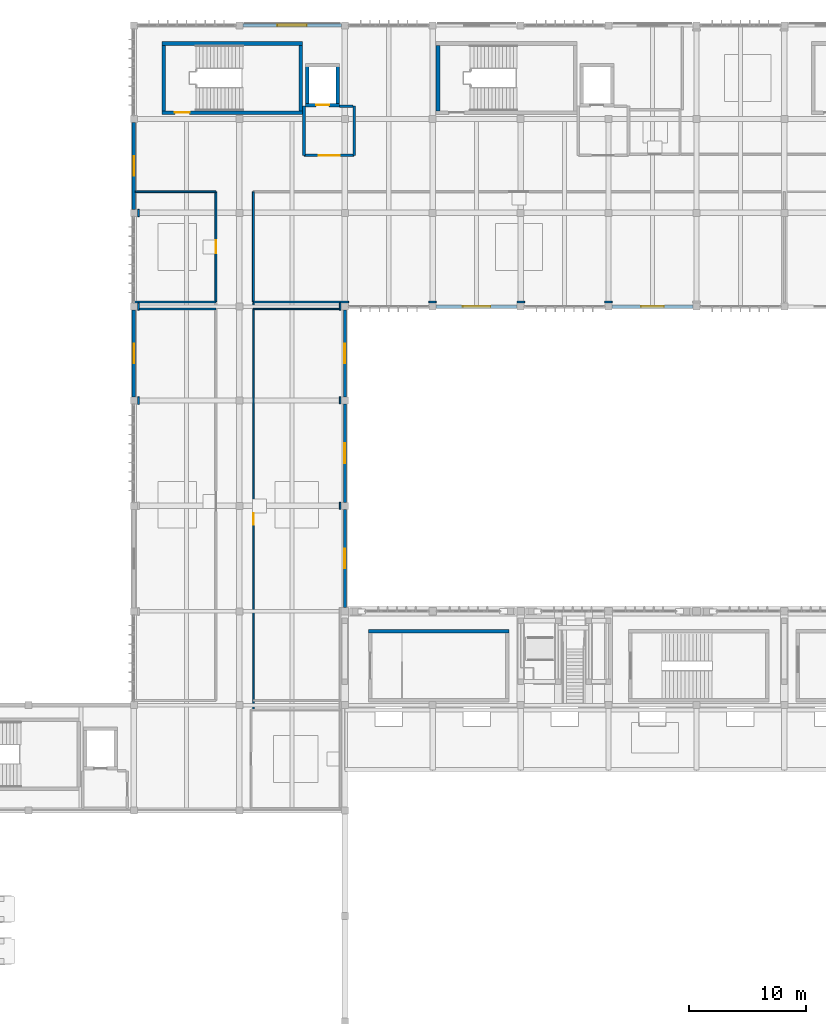
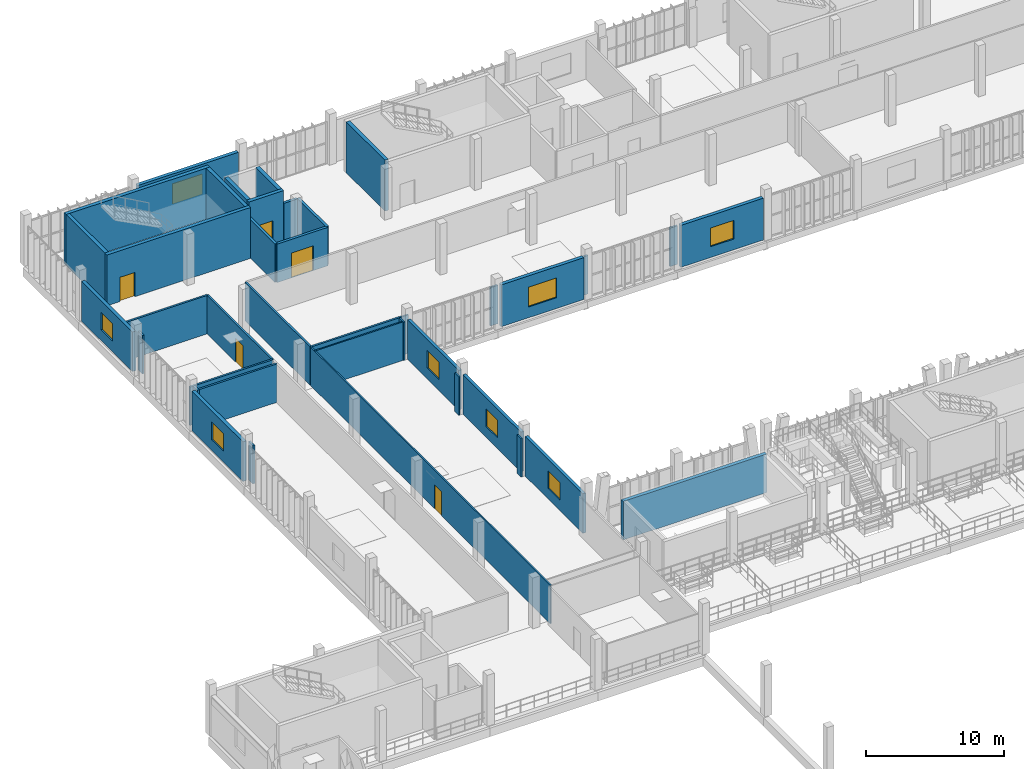
# One storey, part 55 of 81: 38 walls, 8 windows, 5 doors, 13 openings.
"""IFC4 building model written with IfcOpenShell, lengths in metres."""

from ifc_helpers import new_model, si_unit, direction, frame, frame_2d, origin, place, context, subcontext, project, spatial, rectangle, extrude, material, layer, layer_set, type_object, element, fill, save


model = new_model("IFC4")

# Units and contexts
model_context = context("Model", 3, precision=1e-05, world=origin(), true_north=direction((0.0, 1.0)))
body_context = subcontext(model_context, "Body", "Model", "MODEL_VIEW")
ifc_project = project(units=[si_unit("LENGTHUNIT", "METRE"), si_unit("AREAUNIT", "SQUARE_METRE"), si_unit("VOLUMEUNIT", "CUBIC_METRE"), si_unit("PLANEANGLEUNIT", "RADIAN"), si_unit("MASSUNIT", "GRAM", prefix="KILO")], contexts=[model_context])

# Site, building, storey
site_placement = place(None, origin())
site = spatial("IfcSite", under=ifc_project, at=site_placement, CompositionType="ELEMENT")
building_placement = place(site_placement, origin())
building = spatial("IfcBuilding", under=site, at=building_placement, Name="Vourika Railside Aquatics Centre", CompositionType="ELEMENT")
storey_placement = place(building_placement, frame((0.0, 0.0, 4.800048828125)))
storey = spatial("IfcBuildingStorey", under=building, at=storey_placement, Name="L01", CompositionType="ELEMENT", Elevation=4.800048828125)

# Wall, opening, door
ifc_material_1 = material(Name="Concrete C40/50", Category="concrete")
ifc_layer_1 = layer(ifc_material_1, 0.300048828125, Name="WL-CORE")
ifc_layer_set_1 = layer_set([ifc_layer_1], Name="Concrete C40/50")
wall_type_1 = type_object("IfcWallType", Name="WL-CORE", PredefinedType="SHEAR", material=ifc_layer_set_1)
wall_1_placement = place(storey_placement, frame((20.39990234375, 108.550048828125, 0.0), z_axis=(0.0, 0.0, 1.0), x_axis=(1.0, 0.0, 0.0)))
wall_1 = element("IfcWall", 1, at=wall_1_placement, inside=storey, type_object=wall_type_1, Name="Protected Exit Stair Core ST01 South Wall (L01)", PredefinedType="SHEAR", context=body_context, shape_type="SweptSolid", body=[
    extrude(rectangle(XDim=12.0, YDim=0.300048828125, at=frame_2d((6.0, 0.0))), origin(), (0.0, 0.0, 1.0), 4.5),
])
opening_1_placement = place(wall_1_placement, frame((1.10009765625, 0.0, 0.0)))
opening_1 = element("IfcOpeningElement", 2, at=opening_1_placement, cuts=wall_1, Name="Opening DF02", PredefinedType="OPENING", context=body_context, shape_type="SweptSolid", body=[
    extrude(rectangle(XDim=1.25, YDim=2.14990234375, at=frame_2d((0.625, 1.074951171875))), frame((0.0, 0.16015625, 0.0), z_axis=(0.0, -1.0, 0.0), x_axis=(1.0, 0.0, 0.0)), (0.0, 0.0, 1.0), 0.320068359375),
])
ifc_material_2 = material(Name="Fire-rated wide exit stair door")
door_type_1 = type_object("IfcDoorType", Name="DR-FD60-125", OperationType="NOTDEFINED", PredefinedType="DOOR", material=ifc_material_2)
door_1_placement = place(opening_1_placement, origin())
door_1 = element("IfcDoor", 3, at=door_1_placement, inside=storey, type_object=door_type_1, Name="Protected Exit Stair Core ST01 Enclosure Fire Door (L01)", OperationType="SINGLE_SWING_RIGHT", OverallHeight=2.14990234375, OverallWidth=1.25, PredefinedType="DOOR", context=body_context, shape_type="SweptSolid", body=[
    extrude(rectangle(XDim=1.25, YDim=2.14990234375, at=frame_2d((0.625, 1.074951171875))), frame((0.0, 0.02490234375, 0.0), z_axis=(0.0, -1.0, 0.0), x_axis=(1.0, 0.0, 0.0)), (0.0, 0.0, 1.0), 0.050048828125),
])
fill(opening_1, door_1)

# Walls
wall_2_placement = place(storey_placement, frame((32.39990234375, 114.449951171875, 0.0), z_axis=(0.0, 0.0, 1.0), x_axis=(-1.0, 0.0, 0.0)))
element("IfcWall", 4, at=wall_2_placement, inside=storey, type_object=wall_type_1, Name="Protected Exit Stair Core ST01 North Wall (L01)", PredefinedType="SHEAR", context=body_context, shape_type="SweptSolid", body=[
    extrude(rectangle(XDim=12.0, YDim=0.300048828125, at=frame_2d((6.0, 0.0))), origin(), (0.0, 0.0, 1.0), 4.5),
])
for number, where, z_axis, x_axis, name in (
    (5, (20.550048828125, 114.300048828125, 0.0), (0.0, 0.0, 1.0), (0.0, -1.0, 0.0), "Protected Exit Stair Core ST01 West Wall (L01)"),
    (6, (32.25, 108.699951171875, 0.0), (0.0, 0.0, 1.0), (0.0, 1.0, 0.0), "Protected Exit Stair Core ST01 East Wall (L01)"),
    (7, (43.949951171875, 114.300048828125, 0.0), (0.0, 0.0, 1.0), (0.0, -1.0, 0.0), "Protected Exit Stair Core ST02 West Wall (L01)"),
):
    element("IfcWall", number, at=place(storey_placement, frame(where, z_axis=z_axis, x_axis=x_axis)), inside=storey, type_object=wall_type_1, Name=name, PredefinedType="SHEAR", context=body_context, shape_type="SweptSolid", body=[
        extrude(rectangle(XDim=5.60009765625, YDim=0.300048828125, at=frame_2d((2.800048828125, 0.0))), origin(), (0.0, 0.0, 1.0), 4.5),
    ])
wall_3_placement = place(storey_placement, frame((50.0, 64.300048828125, 0.0), z_axis=(0.0, 0.0, 1.0), x_axis=(-1.0, 0.0, 0.0)))
element("IfcWall", 8, at=wall_3_placement, inside=storey, type_object=wall_type_1, Name="Grandstand Vomitory Exit Stair ST07 North Wall (L01)", PredefinedType="SHEAR", context=body_context, shape_type="SweptSolid", body=[
    extrude(rectangle(XDim=12.0, YDim=0.300048828125, at=frame_2d((6.0, 0.0))), origin(), (0.0, 0.0, 1.0), 3.39990234375),
])

# Wall, opening, door
wall_4_placement = place(storey_placement, frame((32.64990234375, 109.199951171875, 0.0), z_axis=(0.0, 0.0, 1.0), x_axis=(1.0, 0.0, 0.0)))
wall_4 = element("IfcWall", 9, at=wall_4_placement, inside=storey, type_object=wall_type_1, Name="Lift LF01 Shaft South Wall (L01)", PredefinedType="SHEAR", context=body_context, shape_type="SweptSolid", body=[
    extrude(rectangle(XDim=2.900146484375, YDim=0.300048828125, at=frame_2d((1.4501953125, 0.0))), origin(), (0.0, 0.0, 1.0), 4.5),
])
opening_2_placement = place(wall_4_placement, frame((0.89990234375, 0.0, 0.0)))
opening_2 = element("IfcOpeningElement", 10, at=opening_2_placement, cuts=wall_4, Name="Opening LD01", PredefinedType="OPENING", context=body_context, shape_type="SweptSolid", body=[
    extrude(rectangle(XDim=1.10009765625, YDim=2.14990234375, at=frame_2d((0.550048828125, 1.074951171875))), frame((0.0, 0.16015625, 0.0), z_axis=(0.0, -1.0, 0.0), x_axis=(1.0, 0.0, 0.0)), (0.0, 0.0, 1.0), 0.320068359375),
])
ifc_material_3 = material(Name="Stainless firefighting lift landing door")
door_type_2 = type_object("IfcDoorType", Name="DR-LIFT-LD1", OperationType="DOUBLE_DOOR_SLIDING", PredefinedType="DOOR", material=ifc_material_3)
door_2_placement = place(opening_2_placement, origin())
door_2 = element("IfcDoor", 11, at=door_2_placement, inside=storey, type_object=door_type_2, Name="Lift LF01 Sliding Landing Door (L01)", OperationType="DOUBLE_DOOR_SLIDING", OverallHeight=2.14990234375, OverallWidth=1.10009765625, PredefinedType="DOOR", context=body_context, shape_type="SweptSolid", body=[
    extrude(rectangle(XDim=1.10009765625, YDim=2.14990234375, at=frame_2d((0.550048828125, 1.074951171875))), frame((0.0, 0.02490234375, 0.0), z_axis=(0.0, -1.0, 0.0), x_axis=(1.0, 0.0, 0.0)), (0.0, 0.0, 1.0), 0.050048828125),
])
fill(opening_2, door_2)

# Walls
for number, where, z_axis, x_axis, name in (
    (12, (32.800048828125, 112.60009765625, 0.0), (0.0, 0.0, 1.0), (0.0, -1.0, 0.0), "Lift LF01 Shaft West Wall (L01)"),
    (13, (35.39990234375, 109.199951171875, 0.0), (0.0, 0.0, 1.0), (0.0, 1.0, 0.0), "Lift LF01 Shaft East Wall (L01)"),
):
    element("IfcWall", number, at=place(storey_placement, frame(where, z_axis=z_axis, x_axis=x_axis)), inside=storey, type_object=wall_type_1, Name=name, PredefinedType="SHEAR", context=body_context, shape_type="SweptSolid", body=[
        extrude(rectangle(XDim=3.400146484375, YDim=0.300048828125, at=frame_2d((1.7001953125, 0.0))), origin(), (0.0, 0.0, 1.0), 4.5),
    ])

# Wall, opening, window
ifc_material_4 = material(Name="Precast concrete C40/50", Category="concrete")
ifc_layer_2 = layer(ifc_material_4, 0.25, Name="WL-EXT-250")
ifc_layer_set_2 = layer_set([ifc_layer_2], Name="Precast concrete C40/50")
wall_type_2 = type_object("IfcWallType", Name="WL-EXT-250", PredefinedType="SOLIDWALL", material=ifc_layer_set_2)
wall_5_placement = place(storey_placement, frame((36.0, 66.324951171875, 0.0), z_axis=(0.0, 0.0, 1.0), x_axis=(0.0, 1.0, 0.0)))
wall_5 = element("IfcWall", 14, at=wall_5_placement, inside=storey, type_object=wall_type_2, Name="West Link Courtyard Wall L01-1", PredefinedType="SOLIDWALL", context=body_context, shape_type="SweptSolid", body=[
    extrude(rectangle(XDim=8.375, YDim=0.25, at=frame_2d((4.1875, 0.0))), origin(), (0.0, 0.0, 1.0), 3.5),
])
opening_3_placement = place(wall_5_placement, frame((3.3369140625, 0.0, 0.949951171875)))
opening_3 = element("IfcOpeningElement", 15, at=opening_3_placement, cuts=wall_5, Name="Opening W11", PredefinedType="OPENING", context=body_context, shape_type="SweptSolid", body=[
    extrude(rectangle(XDim=1.699951171875, YDim=1.550048828125, at=frame_2d((0.85009765625, 0.77490234375))), frame((0.0, 0.135009765625, 0.0), z_axis=(0.0, -1.0, 0.0), x_axis=(1.0, 0.0, 0.0)), (0.0, 0.0, 1.0), 0.27001953125),
])
ifc_material_5 = material(Name="Laminated solar-control glass", Category="glass")
window_type_1 = type_object("IfcWindowType", Name="WN-LAB-170x155", PartitioningType="SINGLE_PANEL", PredefinedType="WINDOW", material=ifc_material_5)
window_1_placement = place(opening_3_placement, origin())
window_1 = element("IfcWindow", 16, at=window_1_placement, inside=storey, type_object=window_type_1, Name="West Link Courtyard Window L01-1", OverallHeight=1.550048828125, OverallWidth=1.699951171875, PartitioningType="SINGLE_PANEL", PredefinedType="WINDOW", context=body_context, shape_type="SweptSolid", body=[
    extrude(rectangle(XDim=1.699951171875, YDim=1.550048828125, at=frame_2d((0.85009765625, 0.77490234375))), frame((0.0, 0.030029296875, 0.0), z_axis=(0.0, -1.0, 0.0), x_axis=(1.0, 0.0, 0.0)), (0.0, 0.0, 1.0), 0.06005859375),
])
fill(opening_3, window_1)

wall_6_placement = place(storey_placement, frame((36.0, 75.300048828125, 0.0), z_axis=(0.0, 0.0, 1.0), x_axis=(0.0, 1.0, 0.0)))
wall_6 = element("IfcWall", 17, at=wall_6_placement, inside=storey, type_object=wall_type_2, Name="West Link Courtyard Wall L01-2", PredefinedType="SOLIDWALL", context=body_context, shape_type="SweptSolid", body=[
    extrude(rectangle(XDim=8.39990234375, YDim=0.25, at=frame_2d((4.199951171875, 0.0))), origin(), (0.0, 0.0, 1.0), 3.5),
])
opening_4_placement = place(wall_6_placement, frame((3.35009765625, 0.0, 0.949951171875)))
opening_4 = element("IfcOpeningElement", 18, at=opening_4_placement, cuts=wall_6, Name="Opening W11", PredefinedType="OPENING", context=body_context, shape_type="SweptSolid", body=[
    extrude(rectangle(XDim=1.699951171875, YDim=1.550048828125, at=frame_2d((0.85009765625, 0.77490234375))), frame((0.0, 0.135009765625, 0.0), z_axis=(0.0, -1.0, 0.0), x_axis=(1.0, 0.0, 0.0)), (0.0, 0.0, 1.0), 0.27001953125),
])
window_2_placement = place(opening_4_placement, origin())
window_2 = element("IfcWindow", 19, at=window_2_placement, inside=storey, type_object=window_type_1, Name="West Link Courtyard Window L01-2", OverallHeight=1.550048828125, OverallWidth=1.699951171875, PartitioningType="SINGLE_PANEL", PredefinedType="WINDOW", context=body_context, shape_type="SweptSolid", body=[
    extrude(rectangle(XDim=1.699951171875, YDim=1.550048828125, at=frame_2d((0.85009765625, 0.77490234375))), frame((0.0, 0.030029296875, 0.0), z_axis=(0.0, -1.0, 0.0), x_axis=(1.0, 0.0, 0.0)), (0.0, 0.0, 1.0), 0.06005859375),
])
fill(opening_4, window_2)

wall_7_placement = place(storey_placement, frame((36.0, 84.300048828125, 0.0), z_axis=(0.0, 0.0, 1.0), x_axis=(0.0, 1.0, 0.0)))
wall_7 = element("IfcWall", 20, at=wall_7_placement, inside=storey, type_object=wall_type_2, Name="West Link Courtyard Wall L01-3", PredefinedType="SOLIDWALL", context=body_context, shape_type="SweptSolid", body=[
    extrude(rectangle(XDim=7.39990234375, YDim=0.25, at=frame_2d((3.699951171875, 0.0))), origin(), (0.0, 0.0, 1.0), 3.5),
])
opening_5_placement = place(wall_7_placement, frame((2.85009765625, 0.0, 0.949951171875)))
opening_5 = element("IfcOpeningElement", 21, at=opening_5_placement, cuts=wall_7, Name="Opening W11", PredefinedType="OPENING", context=body_context, shape_type="SweptSolid", body=[
    extrude(rectangle(XDim=1.699951171875, YDim=1.550048828125, at=frame_2d((0.85009765625, 0.77490234375))), frame((0.0, 0.135009765625, 0.0), z_axis=(0.0, -1.0, 0.0), x_axis=(1.0, 0.0, 0.0)), (0.0, 0.0, 1.0), 0.27001953125),
])
window_3_placement = place(opening_5_placement, origin())
window_3 = element("IfcWindow", 22, at=window_3_placement, inside=storey, type_object=window_type_1, Name="West Link Courtyard Window L01-3", OverallHeight=1.550048828125, OverallWidth=1.699951171875, PartitioningType="SINGLE_PANEL", PredefinedType="WINDOW", context=body_context, shape_type="SweptSolid", body=[
    extrude(rectangle(XDim=1.699951171875, YDim=1.550048828125, at=frame_2d((0.85009765625, 0.77490234375))), frame((0.0, 0.030029296875, 0.0), z_axis=(0.0, -1.0, 0.0), x_axis=(1.0, 0.0, 0.0)), (0.0, 0.0, 1.0), 0.06005859375),
])
fill(opening_5, window_3)

ifc_layer_3 = layer(ifc_material_4, 0.2900390625, Name="WL-EXT-290")
ifc_layer_set_3 = layer_set([ifc_layer_3], Name="Precast concrete C40/50")
wall_type_3 = type_object("IfcWallType", Name="WL-EXT-290", PredefinedType="SOLIDWALL", material=ifc_layer_set_3)
wall_8_placement = place(storey_placement, frame((35.699951171875, 116.0, 0.0), z_axis=(0.0, 0.0, 1.0), x_axis=(-1.0, 0.0, 0.0)))
wall_8 = element("IfcWall", 23, at=wall_8_placement, inside=storey, type_object=wall_type_3, Name="North Boulevard Precast Bay L01-2", PredefinedType="SOLIDWALL", context=body_context, shape_type="SweptSolid", body=[
    extrude(rectangle(XDim=8.39990234375, YDim=0.2900390625, at=frame_2d((4.199951171875, 0.0))), origin(), (0.0, 0.0, 1.0), 3.699951171875),
])
opening_6_placement = place(wall_8_placement, frame((2.949951171875, 0.0, 0.949951171875)))
opening_6 = element("IfcOpeningElement", 24, at=opening_6_placement, cuts=wall_8, Name="Opening W02", PredefinedType="OPENING", context=body_context, shape_type="SweptSolid", body=[
    extrude(rectangle(XDim=2.5, YDim=1.800048828125, at=frame_2d((1.25, 0.89990234375))), frame((0.0, 0.155029296875, 0.0), z_axis=(0.0, -1.0, 0.0), x_axis=(1.0, 0.0, 0.0)), (0.0, 0.0, 1.0), 0.31005859375),
])
window_type_2 = type_object("IfcWindowType", Name="WN-FIT-250x180", PartitioningType="DOUBLE_PANEL_VERTICAL", PredefinedType="WINDOW", material=ifc_material_5)
window_4_placement = place(opening_6_placement, origin())
window_4 = element("IfcWindow", 25, at=window_4_placement, inside=storey, type_object=window_type_2, Name="North Boulevard Studio Window L01-2", OverallHeight=1.800048828125, OverallWidth=2.5, PartitioningType="SINGLE_PANEL", PredefinedType="WINDOW", context=body_context, shape_type="SweptSolid", body=[
    extrude(rectangle(XDim=2.5, YDim=1.800048828125, at=frame_2d((1.25, 0.89990234375))), frame((0.0, 0.030029296875, 0.0), z_axis=(0.0, -1.0, 0.0), x_axis=(1.0, 0.0, 0.0)), (0.0, 0.0, 1.0), 0.06005859375),
])
fill(opening_6, window_4)

wall_9_placement = place(storey_placement, frame((43.800048828125, 92.0, 0.0), z_axis=(0.0, 0.0, 1.0), x_axis=(1.0, 0.0, 0.0)))
wall_9 = element("IfcWall", 26, at=wall_9_placement, inside=storey, type_object=wall_type_3, Name="Courtyard Precast Wall L01-2", PredefinedType="SOLIDWALL", context=body_context, shape_type="SweptSolid", body=[
    extrude(rectangle(XDim=6.89990234375, YDim=0.2900390625, at=frame_2d((3.449951171875, 0.0))), origin(), (0.0, 0.0, 1.0), 3.699951171875),
])
opening_7_placement = place(wall_9_placement, frame((2.27490234375, 0.0, 0.949951171875)))
opening_7 = element("IfcOpeningElement", 27, at=opening_7_placement, cuts=wall_9, Name="Opening W03", PredefinedType="OPENING", context=body_context, shape_type="SweptSolid", body=[
    extrude(rectangle(XDim=2.35009765625, YDim=1.75, at=frame_2d((1.175048828125, 0.875))), frame((0.0, 0.155029296875, 0.0), z_axis=(0.0, -1.0, 0.0), x_axis=(1.0, 0.0, 0.0)), (0.0, 0.0, 1.0), 0.31005859375),
])
window_type_3 = type_object("IfcWindowType", Name="WN-FIT-235x175", PartitioningType="DOUBLE_PANEL_VERTICAL", PredefinedType="WINDOW", material=ifc_material_5)
window_5_placement = place(opening_7_placement, origin())
window_5 = element("IfcWindow", 28, at=window_5_placement, inside=storey, type_object=window_type_3, Name="Courtyard Fitness Window L01-2", OverallHeight=1.75, OverallWidth=2.35009765625, PartitioningType="SINGLE_PANEL", PredefinedType="WINDOW", context=body_context, shape_type="SweptSolid", body=[
    extrude(rectangle(XDim=2.35009765625, YDim=1.75, at=frame_2d((1.175048828125, 0.875))), frame((0.0, 0.030029296875, 0.0), z_axis=(0.0, -1.0, 0.0), x_axis=(1.0, 0.0, 0.0)), (0.0, 0.0, 1.0), 0.06005859375),
])
fill(opening_7, window_5)

wall_10_placement = place(storey_placement, frame((58.800048828125, 92.0, 0.0), z_axis=(0.0, 0.0, 1.0), x_axis=(1.0, 0.0, 0.0)))
wall_10 = element("IfcWall", 29, at=wall_10_placement, inside=storey, type_object=wall_type_3, Name="Courtyard Precast Wall L01-4", PredefinedType="SOLIDWALL", context=body_context, shape_type="SweptSolid", body=[
    extrude(rectangle(XDim=6.89990234375, YDim=0.2900390625, at=frame_2d((3.449951171875, 0.0))), origin(), (0.0, 0.0, 1.0), 3.699951171875),
])
opening_8_placement = place(wall_10_placement, frame((2.47509765625, 0.0, 0.949951171875)))
opening_8 = element("IfcOpeningElement", 30, at=opening_8_placement, cuts=wall_10, Name="Opening W05", PredefinedType="OPENING", context=body_context, shape_type="SweptSolid", body=[
    extrude(rectangle(XDim=1.949951171875, YDim=1.64990234375, at=frame_2d((0.97509765625, 0.824951171875))), frame((0.0, 0.155029296875, 0.0), z_axis=(0.0, -1.0, 0.0), x_axis=(1.0, 0.0, 0.0)), (0.0, 0.0, 1.0), 0.31005859375),
])
window_type_4 = type_object("IfcWindowType", Name="WN-FIT-195x165", PartitioningType="DOUBLE_PANEL_VERTICAL", PredefinedType="WINDOW", material=ifc_material_5)
window_6_placement = place(opening_8_placement, origin())
window_6 = element("IfcWindow", 31, at=window_6_placement, inside=storey, type_object=window_type_4, Name="Courtyard Fitness Window L01-4", OverallHeight=1.64990234375, OverallWidth=1.949951171875, PartitioningType="SINGLE_PANEL", PredefinedType="WINDOW", context=body_context, shape_type="SweptSolid", body=[
    extrude(rectangle(XDim=1.949951171875, YDim=1.64990234375, at=frame_2d((0.97509765625, 0.824951171875))), frame((0.0, 0.030029296875, 0.0), z_axis=(0.0, -1.0, 0.0), x_axis=(1.0, 0.0, 0.0)), (0.0, 0.0, 1.0), 0.06005859375),
])
fill(opening_8, window_6)

wall_11_placement = place(storey_placement, frame((18.0, 91.699951171875, 0.0), z_axis=(0.0, 0.0, 1.0), x_axis=(0.0, -1.0, 0.0)))
wall_11 = element("IfcWall", 32, at=wall_11_placement, inside=storey, type_object=wall_type_3, Name="Fitness West Precast Wall L01-4", PredefinedType="SOLIDWALL", context=body_context, shape_type="SweptSolid", body=[
    extrude(rectangle(XDim=7.39990234375, YDim=0.2900390625, at=frame_2d((3.699951171875, 0.0))), origin(), (0.0, 0.0, 1.0), 3.5),
])
opening_9_placement = place(wall_11_placement, frame((2.85009765625, 0.0, 0.949951171875)))
opening_9 = element("IfcOpeningElement", 33, at=opening_9_placement, cuts=wall_11, Name="Opening W11", PredefinedType="OPENING", context=body_context, shape_type="SweptSolid", body=[
    extrude(rectangle(XDim=1.699951171875, YDim=1.550048828125, at=frame_2d((0.85009765625, 0.77490234375))), frame((0.0, 0.155029296875, 0.0), z_axis=(0.0, -1.0, 0.0), x_axis=(1.0, 0.0, 0.0)), (0.0, 0.0, 1.0), 0.31005859375),
])
window_7_placement = place(opening_9_placement, origin())
window_7 = element("IfcWindow", 34, at=window_7_placement, inside=storey, type_object=window_type_1, Name="Fitness West Window L01-4", OverallHeight=1.550048828125, OverallWidth=1.699951171875, PartitioningType="SINGLE_PANEL", PredefinedType="WINDOW", context=body_context, shape_type="SweptSolid", body=[
    extrude(rectangle(XDim=1.699951171875, YDim=1.550048828125, at=frame_2d((0.85009765625, 0.77490234375))), frame((0.0, 0.030029296875, 0.0), z_axis=(0.0, -1.0, 0.0), x_axis=(1.0, 0.0, 0.0)), (0.0, 0.0, 1.0), 0.06005859375),
])
fill(opening_9, window_7)

wall_12_placement = place(storey_placement, frame((18.0, 107.699951171875, 0.0), z_axis=(0.0, 0.0, 1.0), x_axis=(0.0, -1.0, 0.0)))
wall_12 = element("IfcWall", 35, at=wall_12_placement, inside=storey, type_object=wall_type_3, Name="Fitness West Precast Wall L01-6", PredefinedType="SOLIDWALL", context=body_context, shape_type="SweptSolid", body=[
    extrude(rectangle(XDim=7.39990234375, YDim=0.2900390625, at=frame_2d((3.699951171875, 0.0))), origin(), (0.0, 0.0, 1.0), 3.5),
])
opening_10_placement = place(wall_12_placement, frame((2.85009765625, 0.0, 0.949951171875)))
opening_10 = element("IfcOpeningElement", 36, at=opening_10_placement, cuts=wall_12, Name="Opening W11", PredefinedType="OPENING", context=body_context, shape_type="SweptSolid", body=[
    extrude(rectangle(XDim=1.699951171875, YDim=1.550048828125, at=frame_2d((0.85009765625, 0.77490234375))), frame((0.0, 0.155029296875, 0.0), z_axis=(0.0, -1.0, 0.0), x_axis=(1.0, 0.0, 0.0)), (0.0, 0.0, 1.0), 0.31005859375),
])
window_8_placement = place(opening_10_placement, origin())
window_8 = element("IfcWindow", 37, at=window_8_placement, inside=storey, type_object=window_type_1, Name="Fitness West Window L01-6", OverallHeight=1.550048828125, OverallWidth=1.699951171875, PartitioningType="SINGLE_PANEL", PredefinedType="WINDOW", context=body_context, shape_type="SweptSolid", body=[
    extrude(rectangle(XDim=1.699951171875, YDim=1.550048828125, at=frame_2d((0.85009765625, 0.77490234375))), frame((0.0, 0.030029296875, 0.0), z_axis=(0.0, -1.0, 0.0), x_axis=(1.0, 0.0, 0.0)), (0.0, 0.0, 1.0), 0.06005859375),
])
fill(opening_10, window_8)

# Wall, opening, door
ifc_material_6 = material(Name="Concrete C35/45", Category="concrete")
ifc_layer_4 = layer(ifc_material_6, 0.219970703125, Name="WL-FIRE")
ifc_layer_set_4 = layer_set([ifc_layer_4], Name="Concrete C35/45")
wall_type_4 = type_object("IfcWallType", Name="WL-FIRE", PredefinedType="SOLIDWALL", material=ifc_layer_set_4)
wall_13_placement = place(storey_placement, frame((32.52001953125, 104.89990234375, 0.0), z_axis=(0.0, 0.0, 1.0), x_axis=(1.0, 0.0, 0.0)))
wall_13 = element("IfcWall", 38, at=wall_13_placement, inside=storey, type_object=wall_type_4, Name="Lift LF01 Lobby Corridor Fire Wall (L01)", PredefinedType="SOLIDWALL", context=body_context, shape_type="SweptSolid", body=[
    extrude(rectangle(XDim=4.280029296875, YDim=0.219970703125, at=frame_2d((2.14013671875, 0.0))), origin(), (0.0, 0.0, 1.0), 3.39990234375),
])
opening_11_placement = place(wall_13_placement, frame((1.239990234375, 0.0, 0.0)))
opening_11 = element("IfcOpeningElement", 39, at=opening_11_placement, cuts=wall_13, Name="Opening DF03", PredefinedType="OPENING", context=body_context, shape_type="SweptSolid", body=[
    extrude(rectangle(XDim=1.800048828125, YDim=2.199951171875, at=frame_2d((0.89990234375, 1.10009765625))), frame((0.0, 0.1201171875, 0.0), z_axis=(0.0, -1.0, 0.0), x_axis=(1.0, 0.0, 0.0)), (0.0, 0.0, 1.0), 0.239990234375),
])
ifc_material_7 = material(Name="Fire-rated double lobby door")
door_type_3 = type_object("IfcDoorType", Name="DR-FD60D", OperationType="DOUBLE_DOOR_SINGLE_SWING", PredefinedType="DOOR", material=ifc_material_7)
door_3_placement = place(opening_11_placement, origin())
door_3 = element("IfcDoor", 40, at=door_3_placement, inside=storey, type_object=door_type_3, Name="Lift LF01 Lobby Fire Door (L01)", OperationType="DOUBLE_DOOR_SINGLE_SWING", OverallHeight=2.199951171875, OverallWidth=1.800048828125, PredefinedType="DOOR", context=body_context, shape_type="SweptSolid", body=[
    extrude(rectangle(XDim=1.800048828125, YDim=2.199951171875, at=frame_2d((0.89990234375, 1.10009765625))), frame((0.0, 0.02490234375, 0.0), z_axis=(0.0, -1.0, 0.0), x_axis=(1.0, 0.0, 0.0)), (0.0, 0.0, 1.0), 0.050048828125),
])
fill(opening_11, door_3)

# Walls
for number, where, z_axis, x_axis, name in (
    (41, (32.52001953125, 104.89990234375, 0.0), (0.0, 0.0, 1.0), (0.0, 1.0, 0.0), "Lift LF01 Lobby West Fire Wall (L01)"),
    (42, (36.800048828125, 104.89990234375, 0.0), (0.0, 0.0, 1.0), (0.0, 1.0, 0.0), "Lift LF01 Lobby East Fire Wall (L01)"),
):
    element("IfcWall", number, at=place(storey_placement, frame(where, z_axis=z_axis, x_axis=x_axis)), inside=storey, type_object=wall_type_4, Name=name, PredefinedType="SOLIDWALL", context=body_context, shape_type="SweptSolid", body=[
        extrude(rectangle(XDim=4.2001953125, YDim=0.219970703125, at=frame_2d((2.10009765625, 0.0))), origin(), (0.0, 0.0, 1.0), 3.39990234375),
    ])
wall_14_placement = place(storey_placement, frame((35.550048828125, 109.10009765625, 0.0), z_axis=(0.0, 0.0, 1.0), x_axis=(1.0, 0.0, 0.0)))
element("IfcWall", 43, at=wall_14_placement, inside=storey, type_object=wall_type_4, Name="Lift LF01 Lobby North-East Closure Wall (L01)", PredefinedType="SOLIDWALL", context=body_context, shape_type="SweptSolid", body=[
    extrude(rectangle(XDim=1.1298828125, YDim=0.219970703125, at=frame_2d((0.56494140625, 0.0))), origin(), (0.0, 0.0, 1.0), 3.39990234375),
])

# Wall, opening, door
ifc_material_8 = material(Name="Lightweight drylining partition")
ifc_layer_5 = layer(ifc_material_8, 0.1201171875, Name="WL-PART-120")
ifc_layer_set_5 = layer_set([ifc_layer_5], Name="Lightweight drylining partition")
wall_type_5 = type_object("IfcWallType", Name="WL-PART-120", PredefinedType="PARTITIONING", material=ifc_layer_set_5)
wall_15_placement = place(storey_placement, frame((28.199951171875, 57.639892578125, 0.0), z_axis=(0.0, 0.0, 1.0), x_axis=(0.0, 1.0, 0.0)))
wall_15 = element("IfcWall", 44, at=wall_15_placement, inside=storey, type_object=wall_type_5, Name="Members Fitness Assessment Lounge Partition 1", PredefinedType="PARTITIONING", context=body_context, shape_type="SweptSolid", body=[
    extrude(rectangle(XDim=34.7001953125, YDim=0.1201171875, at=frame_2d((17.35009765625, 0.0))), origin(), (0.0, 0.0, 1.0), 3.39990234375),
])
opening_12_placement = place(wall_15_placement, frame((15.75, 0.0, 0.0)))
opening_12 = element("IfcOpeningElement", 45, at=opening_12_placement, cuts=wall_15, Name="Opening DI01", PredefinedType="OPENING", context=body_context, shape_type="SweptSolid", body=[
    extrude(rectangle(XDim=1.0, YDim=2.10009765625, at=frame_2d((0.5, 1.050048828125))), frame((0.0, 0.070068359375, 0.0), z_axis=(0.0, -1.0, 0.0), x_axis=(1.0, 0.0, 0.0)), (0.0, 0.0, 1.0), 0.14013671875),
])
ifc_material_9 = material(Name="Anodized aluminium and laminate door", Category="aluminium")
door_type_4 = type_object("IfcDoorType", Name="DR-INT-1000", OperationType="NOTDEFINED", PredefinedType="DOOR", material=ifc_material_9)
door_4_placement = place(opening_12_placement, origin())
door_4 = element("IfcDoor", 46, at=door_4_placement, inside=storey, type_object=door_type_4, Name="Members Fitness Assessment Lounge Door", OperationType="SINGLE_SWING_RIGHT", OverallHeight=2.10009765625, OverallWidth=1.0, PredefinedType="DOOR", context=body_context, shape_type="SweptSolid", body=[
    extrude(rectangle(XDim=1.0, YDim=2.10009765625, at=frame_2d((0.5, 1.050048828125))), frame((0.0, 0.02490234375, 0.0), z_axis=(0.0, -1.0, 0.0), x_axis=(1.0, 0.0, 0.0)), (0.0, 0.0, 1.0), 0.050048828125),
])
fill(opening_12, door_4)

# Walls
wall_16_placement = place(storey_placement, frame((28.199951171875, 91.800048828125, 0.0), z_axis=(0.0, 0.0, 1.0), x_axis=(1.0, 0.0, 0.0)))
element("IfcWall", 47, at=wall_16_placement, inside=storey, type_object=wall_type_5, Name="Members Fitness Assessment Lounge Partition 4", PredefinedType="PARTITIONING", context=body_context, shape_type="SweptSolid", body=[
    extrude(rectangle(XDim=7.400146484375, YDim=0.1201171875, at=frame_2d((3.7001953125, 0.0))), origin(), (0.0, 0.0, 1.0), 3.39990234375),
])
wall_17_placement = place(storey_placement, frame((35.60009765625, 92.340087890625, 0.0), z_axis=(0.0, 0.0, 1.0), x_axis=(0.0, -1.0, 0.0)))
element("IfcWall", 48, at=wall_17_placement, inside=storey, type_object=wall_type_5, Name="Members Fitness Assessment Lounge Partition 5", PredefinedType="PARTITIONING", context=body_context, shape_type="SweptSolid", body=[
    extrude(rectangle(XDim=0.64013671875, YDim=0.1201171875, at=frame_2d((0.320068359375, 0.0))), origin(), (0.0, 0.0, 1.0), 3.39990234375),
])
for number, where, z_axis, x_axis, name in (
    (49, (35.60009765625, 84.300048828125, 0.0), (0.0, 0.0, 1.0), (0.0, -1.0, 0.0), "Members Fitness Assessment Lounge Partition 6"),
    (50, (35.60009765625, 75.300048828125, 0.0), (0.0, 0.0, 1.0), (0.0, -1.0, 0.0), "Members Fitness Assessment Lounge Partition 7"),
):
    element("IfcWall", number, at=place(storey_placement, frame(where, z_axis=z_axis, x_axis=x_axis)), inside=storey, type_object=wall_type_5, Name=name, PredefinedType="PARTITIONING", context=body_context, shape_type="SweptSolid", body=[
        extrude(rectangle(XDim=0.60009765625, YDim=0.1201171875, at=frame_2d((0.300048828125, 0.0))), origin(), (0.0, 0.0, 1.0), 3.39990234375),
    ])

# Wall, opening, door
ifc_material_10 = material(Name="Acoustic twin-stud partition")
ifc_layer_6 = layer(ifc_material_10, 0.159912109375, Name="WL-PART-160")
ifc_layer_set_6 = layer_set([ifc_layer_6], Name="Acoustic twin-stud partition")
wall_type_6 = type_object("IfcWallType", Name="WL-PART-160", PredefinedType="PARTITIONING", material=ifc_layer_set_6)
wall_18_placement = place(storey_placement, frame((25.0, 101.800048828125, 0.0), z_axis=(0.0, 0.0, 1.0), x_axis=(0.0, -1.0, 0.0)))
wall_18 = element("IfcWall", 51, at=wall_18_placement, inside=storey, type_object=wall_type_6, Name="Functional Kettlebell and Stretch Studio Partition 1", PredefinedType="PARTITIONING", context=body_context, shape_type="SweptSolid", body=[
    extrude(rectangle(XDim=9.400146484375, YDim=0.159912109375, at=frame_2d((4.7001953125, 0.0))), origin(), (0.0, 0.0, 1.0), 3.39990234375),
])
opening_13_placement = place(wall_18_placement, frame((4.14990234375, 0.0, 0.0)))
opening_13 = element("IfcOpeningElement", 52, at=opening_13_placement, cuts=wall_18, Name="Opening DI02", PredefinedType="OPENING", context=body_context, shape_type="SweptSolid", body=[
    extrude(rectangle(XDim=1.10009765625, YDim=2.10009765625, at=frame_2d((0.550048828125, 1.050048828125))), frame((0.0, 0.08984375, 0.0), z_axis=(0.0, -1.0, 0.0), x_axis=(1.0, 0.0, 0.0)), (0.0, 0.0, 1.0), 0.179931640625),
])
ifc_material_11 = material(Name="Accessible clinic and studio door")
door_type_5 = type_object("IfcDoorType", Name="DR-INT-1100", OperationType="NOTDEFINED", PredefinedType="DOOR", material=ifc_material_11)
door_5_placement = place(opening_13_placement, origin())
door_5 = element("IfcDoor", 53, at=door_5_placement, inside=storey, type_object=door_type_5, Name="Functional Kettlebell and Stretch Studio Door", OperationType="SINGLE_SWING_RIGHT", OverallHeight=2.10009765625, OverallWidth=1.10009765625, PredefinedType="DOOR", context=body_context, shape_type="SweptSolid", body=[
    extrude(rectangle(XDim=1.10009765625, YDim=2.10009765625, at=frame_2d((0.550048828125, 1.050048828125))), frame((0.0, 0.02490234375, 0.0), z_axis=(0.0, -1.0, 0.0), x_axis=(1.0, 0.0, 0.0)), (0.0, 0.0, 1.0), 0.050048828125),
])
fill(opening_13, door_5)

# Walls
wall_19_placement = place(storey_placement, frame((18.125, 101.800048828125, 0.0), z_axis=(0.0, 0.0, 1.0), x_axis=(1.0, 0.0, 0.0)))
element("IfcWall", 54, at=wall_19_placement, inside=storey, type_object=wall_type_6, Name="Functional Kettlebell and Stretch Studio Partition 2", PredefinedType="PARTITIONING", context=body_context, shape_type="SweptSolid", body=[
    extrude(rectangle(XDim=6.875, YDim=0.159912109375, at=frame_2d((3.4375, 0.0))), origin(), (0.0, 0.0, 1.0), 3.39990234375),
])
wall_20_placement = place(storey_placement, frame((18.39990234375, 99.669921875, 0.0), z_axis=(0.0, 0.0, 1.0), x_axis=(0.0, 1.0, 0.0)))
element("IfcWall", 55, at=wall_20_placement, inside=storey, type_object=wall_type_6, Name="Functional Kettlebell and Stretch Studio Partition 3", PredefinedType="PARTITIONING", context=body_context, shape_type="SweptSolid", body=[
    extrude(rectangle(XDim=0.630126953125, YDim=0.159912109375, at=frame_2d((0.31494140625, 0.0))), origin(), (0.0, 0.0, 1.0), 3.39990234375),
])
wall_21_placement = place(storey_placement, frame((25.0, 92.39990234375, 0.0), z_axis=(0.0, 0.0, 1.0), x_axis=(-1.0, 0.0, 0.0)))
element("IfcWall", 56, at=wall_21_placement, inside=storey, type_object=wall_type_6, Name="Functional Kettlebell and Stretch Studio Partition 4", PredefinedType="PARTITIONING", context=body_context, shape_type="SweptSolid", body=[
    extrude(rectangle(XDim=6.94189453125, YDim=0.159912109375, at=frame_2d((3.470947265625, 0.0))), origin(), (0.0, 0.0, 1.0), 3.39990234375),
])
wall_22_placement = place(storey_placement, frame((28.199951171875, 92.39990234375, 0.0), z_axis=(0.0, 0.0, 1.0), x_axis=(0.0, 1.0, 0.0)))
element("IfcWall", 57, at=wall_22_placement, inside=storey, type_object=wall_type_6, Name="Strength and Free-Weights Gym Hall Partition 2", PredefinedType="PARTITIONING", context=body_context, shape_type="SweptSolid", body=[
    extrude(rectangle(XDim=9.400146484375, YDim=0.159912109375, at=frame_2d((4.7001953125, 0.0))), origin(), (0.0, 0.0, 1.0), 3.39990234375),
])
wall_23_placement = place(storey_placement, frame((36.330078125, 92.39990234375, 0.0), z_axis=(0.0, 0.0, 1.0), x_axis=(-1.0, 0.0, 0.0)))
element("IfcWall", 58, at=wall_23_placement, inside=storey, type_object=wall_type_6, Name="Strength and Free-Weights Gym Hall Partition 3", PredefinedType="PARTITIONING", context=body_context, shape_type="SweptSolid", body=[
    extrude(rectangle(XDim=8.130126953125, YDim=0.159912109375, at=frame_2d((4.06494140625, 0.0))), origin(), (0.0, 0.0, 1.0), 3.39990234375),
])
for number, where, z_axis, x_axis, name in (
    (59, (58.800048828125, 92.39990234375, 0.0), (0.0, 0.0, 1.0), (-1.0, 0.0, 0.0), "Strength and Free-Weights Gym Hall Partition 6"),
    (60, (51.330078125, 92.39990234375, 0.0), (0.0, 0.0, 1.0), (-1.0, 0.0, 0.0), "Strength and Free-Weights Gym Hall Partition 7"),
    (61, (43.800048828125, 92.39990234375, 0.0), (0.0, 0.0, 1.0), (-1.0, 0.0, 0.0), "Strength and Free-Weights Gym Hall Partition 8"),
):
    element("IfcWall", number, at=place(storey_placement, frame(where, z_axis=z_axis, x_axis=x_axis)), inside=storey, type_object=wall_type_6, Name=name, PredefinedType="PARTITIONING", context=body_context, shape_type="SweptSolid", body=[
        extrude(rectangle(XDim=0.630126953125, YDim=0.159912109375, at=frame_2d((0.31494140625, 0.0))), origin(), (0.0, 0.0, 1.0), 3.39990234375),
    ])
wall_24_placement = place(storey_placement, frame((18.39990234375, 91.800048828125, 0.0), z_axis=(0.0, 0.0, 1.0), x_axis=(1.0, 0.0, 0.0)))
element("IfcWall", 62, at=wall_24_placement, inside=storey, type_object=wall_type_6, Name="Pilates and Trunk Mobility Studio Partition 2", PredefinedType="PARTITIONING", context=body_context, shape_type="SweptSolid", body=[
    extrude(rectangle(XDim=6.60009765625, YDim=0.159912109375, at=frame_2d((3.300048828125, 0.0))), origin(), (0.0, 0.0, 1.0), 3.39990234375),
])
for number, where, z_axis, x_axis, name in (
    (63, (18.39990234375, 83.669921875, 0.0), (0.0, 0.0, 1.0), (0.0, 1.0, 0.0), "Pilates and Trunk Mobility Studio Partition 6"),
    (64, (18.39990234375, 91.699951171875, 0.0), (0.0, 0.0, 1.0), (0.0, 1.0, 0.0), "Pilates and Trunk Mobility Studio Partition 7"),
):
    element("IfcWall", number, at=place(storey_placement, frame(where, z_axis=z_axis, x_axis=x_axis)), inside=storey, type_object=wall_type_6, Name=name, PredefinedType="PARTITIONING", context=body_context, shape_type="SweptSolid", body=[
        extrude(rectangle(XDim=0.630126953125, YDim=0.159912109375, at=frame_2d((0.31494140625, 0.0))), origin(), (0.0, 0.0, 1.0), 3.39990234375),
    ])

save(model, "model.ifc")
